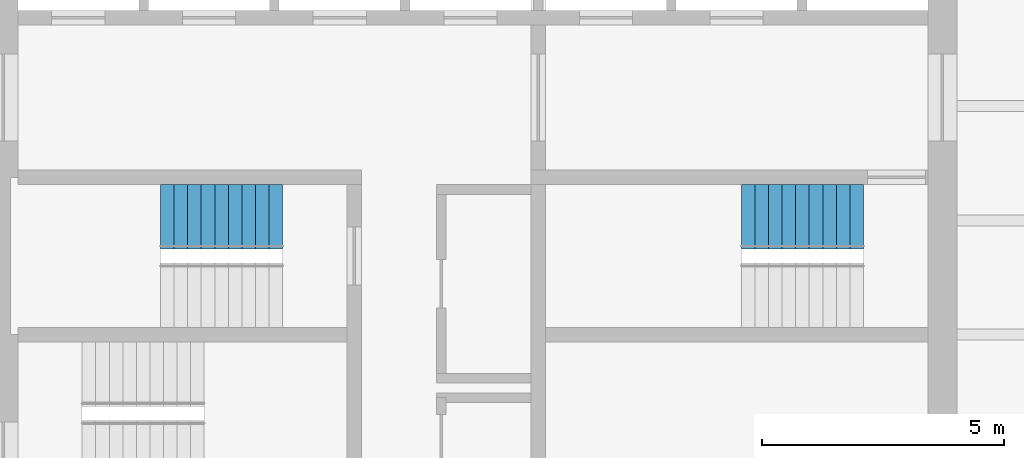
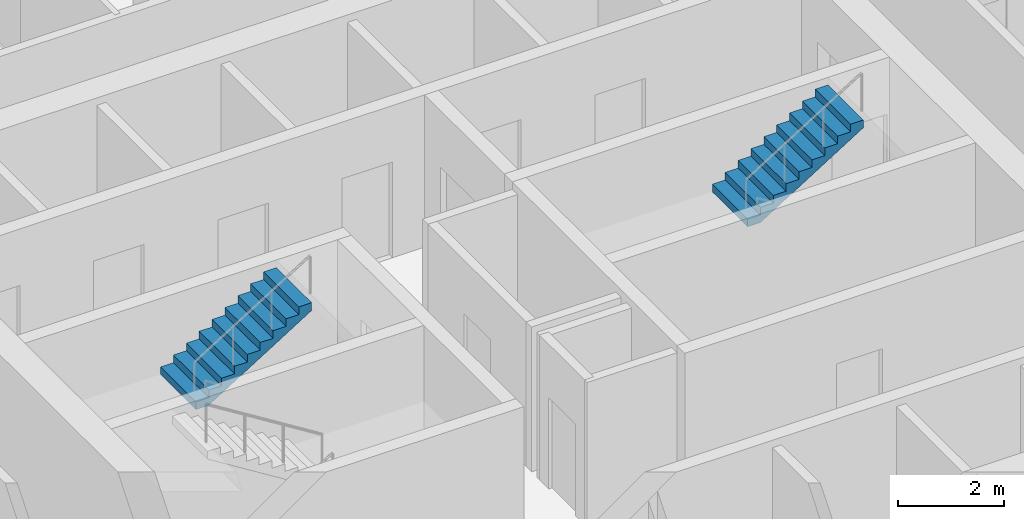
# One storey, part 9 of 10: 2 stair flights, 2 elements without a shape of their own.
"""IFC4 building model written with IfcOpenShell, lengths in metres."""

from ifc_helpers import new_model, si_unit, direction, frame, origin, place, context, subcontext, project, spatial, polyline, outline, extrude, material, type_object, element, aggregate, save


model = new_model("IFC4")

# Units and contexts
model_context = context("Model", 3, precision=1e-05, world=origin(), true_north=direction((0.0, 1.0)))
body_context = subcontext(model_context, "Body", "Model", "MODEL_VIEW")
ifc_project = project(units=[si_unit("LENGTHUNIT", "METRE"), si_unit("AREAUNIT", "SQUARE_METRE"), si_unit("VOLUMEUNIT", "CUBIC_METRE"), si_unit("PLANEANGLEUNIT", "RADIAN"), si_unit("MASSUNIT", "GRAM", prefix="KILO")], contexts=[model_context])

# Site, building, storey
site_placement = place(None, origin())
site = spatial("IfcSite", under=ifc_project, at=site_placement, CompositionType="ELEMENT")
building_placement = place(site_placement, origin())
building = spatial("IfcBuilding", under=site, at=building_placement, Name="Turquesa Mirador Hotel Tower", CompositionType="ELEMENT")
storey_placement = place(building_placement, frame((0.0, 0.0, 77.5)))
storey = spatial("IfcBuildingStorey", under=building, at=storey_placement, Name="L20", CompositionType="ELEMENT", Elevation=77.5)

# Stair, stair flight
ifc_material_1 = material(Name="Concrete C35/45", Category="concrete")
stair_type = type_object("IfcStairType", Name="ESCAPE STAIR CORE", PredefinedType="HALF_TURN_STAIR", material=ifc_material_1)
stair_1_placement = place(storey_placement, origin())
stair_1 = element("IfcStair", 1, at=stair_1_placement, inside=storey, type_object=stair_type, Name="Stair ST1 L20 to L21", PredefinedType="HALF_TURN_STAIR")
ifc_material_2 = material(Name="Concrete C35/45 precast flight", Category="concrete")
stair_flight_type = type_object("IfcStairFlightType", Name="STAIR FLIGHT 1330", PredefinedType="STRAIGHT", material=ifc_material_2)
stair_flight_1_placement = place(storey_placement, frame((48.550048828125, 47.43505859375, 1.75), z_axis=(0.0, 0.0, 1.0), x_axis=(1.0, 0.0, 0.0)))
stair_flight_1 = element("IfcStairFlight", 2, at=stair_flight_1_placement, type_object=stair_flight_type, Name="ST1 flight 2", NumberOfRisers=10, NumberOfTreads=9, PredefinedType="STRAIGHT", RiserHeight=0.175, TreadLength=0.28, context=body_context, shape_type="SweptSolid", body=[
    extrude(outline(polyline([(0.0, 0.0), (0.0, 0.175048828125), (0.280029296875, 0.175048828125), (0.280029296875, 0.35009765625), (0.56005859375, 0.35009765625), (0.56005859375, 0.52490234375), (0.840087890625, 0.52490234375), (0.840087890625, 0.699951171875), (1.1201171875, 0.699951171875), (1.1201171875, 0.875), (1.39990234375, 0.875), (1.39990234375, 1.050048828125), (1.679931640625, 1.050048828125), (1.679931640625, 1.22509765625), (1.9599609375, 1.22509765625), (1.9599609375, 1.39990234375), (2.239990234375, 1.39990234375), (2.239990234375, 1.574951171875), (2.52001953125, 1.574951171875), (2.52001953125, 1.75), (2.52001953125, 1.398193359375), (0.28271484375, 0.0), (0.0, 0.0)])), frame((0.0, 0.6650390625, 0.0), z_axis=(0.0, -1.0, 0.0), x_axis=(1.0, 0.0, 0.0)), (0.0, 0.0, 1.0), 1.330078125),
])
aggregate(stair_1, [stair_flight_1])

stair_2_placement = place(storey_placement, origin())
stair_2 = element("IfcStair", 3, at=stair_2_placement, inside=storey, type_object=stair_type, Name="Stair ST3 L20 to L21", PredefinedType="HALF_TURN_STAIR")
stair_flight_2_placement = place(storey_placement, frame((60.550048828125, 47.43505859375, 1.75), z_axis=(0.0, 0.0, 1.0), x_axis=(1.0, 0.0, 0.0)))
stair_flight_2 = element("IfcStairFlight", 4, at=stair_flight_2_placement, type_object=stair_flight_type, Name="ST3 flight 2", NumberOfRisers=10, NumberOfTreads=9, PredefinedType="STRAIGHT", RiserHeight=0.175, TreadLength=0.28, context=body_context, shape_type="SweptSolid", body=[
    extrude(outline(polyline([(0.0, 0.0), (0.0, 0.175048828125), (0.280029296875, 0.175048828125), (0.280029296875, 0.35009765625), (0.56005859375, 0.35009765625), (0.56005859375, 0.52490234375), (0.840087890625, 0.52490234375), (0.840087890625, 0.699951171875), (1.1201171875, 0.699951171875), (1.1201171875, 0.875), (1.39990234375, 0.875), (1.39990234375, 1.050048828125), (1.679931640625, 1.050048828125), (1.679931640625, 1.22509765625), (1.9599609375, 1.22509765625), (1.9599609375, 1.39990234375), (2.239990234375, 1.39990234375), (2.239990234375, 1.574951171875), (2.52001953125, 1.574951171875), (2.52001953125, 1.75), (2.52001953125, 1.398193359375), (0.28271484375, 0.0), (0.0, 0.0)])), frame((0.0, 0.6650390625, 0.0), z_axis=(0.0, -1.0, 0.0), x_axis=(1.0, 0.0, 0.0)), (0.0, 0.0, 1.0), 1.330078125),
])
aggregate(stair_2, [stair_flight_2])

save(model, "model.ifc")
